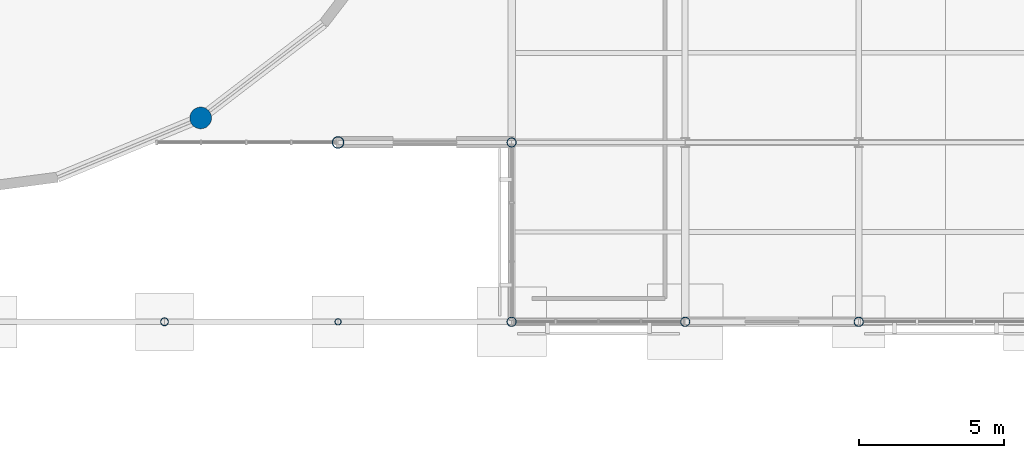
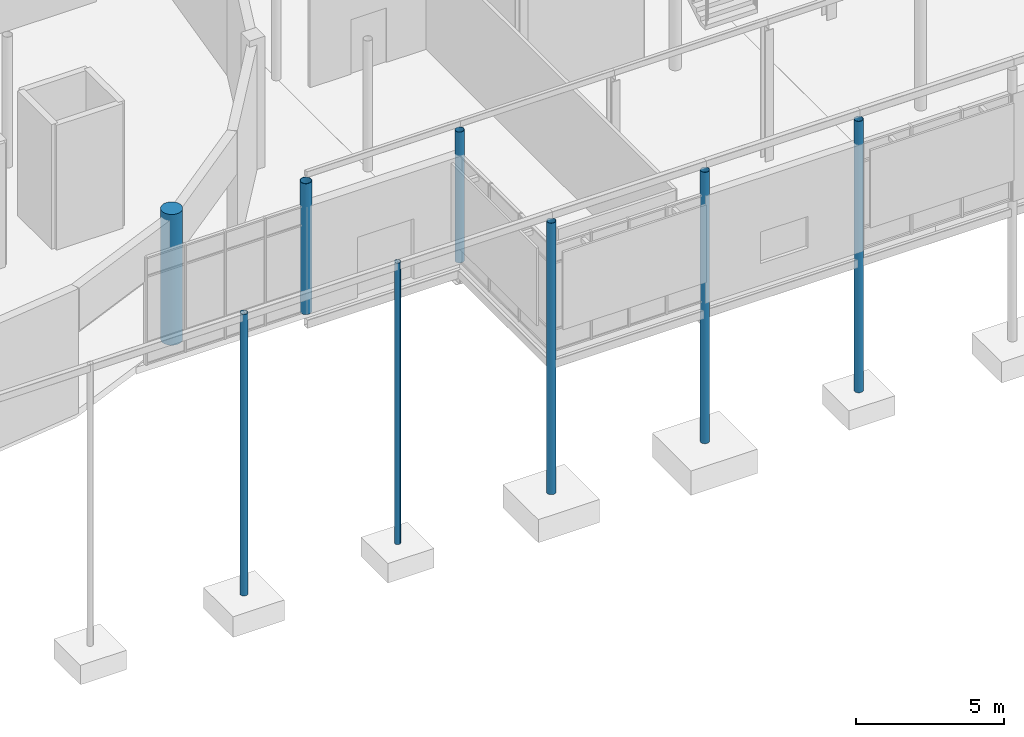
# One storey, part 12 of 98: 8 columns.
"""IFC4 building model written with IfcOpenShell, lengths in metres."""

from ifc_helpers import new_model, si_unit, direction, frame, origin, origin_2d, place, context, subcontext, project, spatial, circle, hollow_circle, extrude, material, material_profile, profile_set, type_object, element, save


model = new_model("IFC4")

# Units and contexts
model_context = context("Model", 3, precision=1e-05, world=origin(), true_north=direction((0.0, 1.0)))
body_context = subcontext(model_context, "Body", "Model", "MODEL_VIEW")
ifc_project = project(units=[si_unit("LENGTHUNIT", "METRE"), si_unit("AREAUNIT", "SQUARE_METRE"), si_unit("VOLUMEUNIT", "CUBIC_METRE"), si_unit("PLANEANGLEUNIT", "RADIAN"), si_unit("MASSUNIT", "GRAM", prefix="KILO")], contexts=[model_context])

# Site, building, storey
site_placement = place(None, origin())
site = spatial("IfcSite", under=ifc_project, at=site_placement, CompositionType="ELEMENT")
building_placement = place(site_placement, origin())
building = spatial("IfcBuilding", under=site, at=building_placement, Name="Mirzam Square Science Centre", CompositionType="ELEMENT")
storey_placement = place(building_placement, origin())
storey = spatial("IfcBuildingStorey", under=building, at=storey_placement, Name="L00", CompositionType="ELEMENT", Elevation=0.0)

# Columns
ifc_material_1 = material(Name="Steel S355", Category="steel")
ifc_material_profile_1 = material_profile(ifc_material_1, hollow_circle(Radius=0.109619140625, WallThickness=0.010009765625, at=origin_2d()), Name="219.1x10.0CHS")
ifc_profile_set_1 = profile_set([ifc_material_profile_1], Name="Steel S355")
column_type_1 = type_object("IfcColumnType", Name="COL-CHS219", PredefinedType="COLUMN", material=ifc_profile_set_1)
column_1_placement = place(storey_placement, frame((96.0, 37.199951171875, -5.800048828125), z_axis=(0.0, 0.0, 1.0), x_axis=(1.0, 0.0, 0.0)))
element("IfcColumn", 1, at=column_1_placement, inside=storey, type_object=column_type_1, Name="L00 column G17-07", PredefinedType="COLUMN", context=body_context, shape_type="SweptSolid", body=[
    extrude(hollow_circle(Radius=0.109619140625, WallThickness=0.010009765625, at=origin_2d()), origin(), (0.0, 0.0, 1.0), 11.6201171875),
])
ifc_material_profile_2 = material_profile(ifc_material_1, hollow_circle(Radius=0.136474609375, WallThickness=0.010009765625, at=origin_2d()), Name="273.0x10.0CHS")
ifc_profile_set_2 = profile_set([ifc_material_profile_2], Name="Steel S355")
column_type_2 = type_object("IfcColumnType", Name="COL-CHS273", PredefinedType="COLUMN", material=ifc_profile_set_2)
column_2_placement = place(storey_placement, frame((90.0, 37.199951171875, -5.800048828125), z_axis=(0.0, 0.0, 1.0), x_axis=(1.0, 0.0, 0.0)))
element("IfcColumn", 2, at=column_2_placement, inside=storey, type_object=column_type_2, Name="L00 column G16-07", PredefinedType="COLUMN", context=body_context, shape_type="SweptSolid", body=[
    extrude(hollow_circle(Radius=0.136474609375, WallThickness=0.010009765625, at=origin_2d()), origin(), (0.0, 0.0, 1.0), 11.6201171875),
])
ifc_material_profile_3 = material_profile(ifc_material_1, hollow_circle(Radius=0.161865234375, WallThickness=0.012451171875, at=origin_2d()), Name="323.9x12.5CHS")
ifc_profile_set_3 = profile_set([ifc_material_profile_3], Name="Steel S355")
column_type_3 = type_object("IfcColumnType", Name="COL-CHS324", PredefinedType="COLUMN", material=ifc_profile_set_3)
column_3_placement = place(storey_placement, frame((102.0, 37.199951171875, -5.800048828125), z_axis=(0.0, 0.0, 1.0), x_axis=(1.0, 0.0, 0.0)))
element("IfcColumn", 3, at=column_3_placement, inside=storey, type_object=column_type_3, Name="L00 column G18-07", PredefinedType="COLUMN", context=body_context, shape_type="SweptSolid", body=[
    extrude(hollow_circle(Radius=0.161865234375, WallThickness=0.012451171875, at=origin_2d()), origin(), (0.0, 0.0, 1.0), 11.199951171875),
])
column_4_placement = place(storey_placement, frame((102.0, 43.39990234375, 0.0), z_axis=(0.0, 0.0, 1.0), x_axis=(1.0, 0.0, 0.0)))
element("IfcColumn", 4, at=column_4_placement, inside=storey, type_object=column_type_3, Name="L00 column G18-08", PredefinedType="COLUMN", context=body_context, shape_type="SweptSolid", body=[
    extrude(hollow_circle(Radius=0.161865234375, WallThickness=0.012451171875, at=origin_2d()), origin(), (0.0, 0.0, 1.0), 5.39990234375),
])
for number, where, z_axis, x_axis, name in (
    (5, (108.0, 37.199951171875, -5.800048828125), (0.0, 0.0, 1.0), (1.0, 0.0, 0.0), "L00 column G19-07"),
    (6, (114.0, 37.199951171875, -5.800048828125), (0.0, 0.0, 1.0), (1.0, 0.0, 0.0), "L00 column G20-07"),
):
    element("IfcColumn", number, at=place(storey_placement, frame(where, z_axis=z_axis, x_axis=x_axis)), inside=storey, type_object=column_type_3, Name=name, PredefinedType="COLUMN", context=body_context, shape_type="SweptSolid", body=[
        extrude(hollow_circle(Radius=0.161865234375, WallThickness=0.012451171875, at=origin_2d()), origin(), (0.0, 0.0, 1.0), 11.199951171875),
    ])
ifc_material_profile_4 = material_profile(ifc_material_1, hollow_circle(Radius=0.203125, WallThickness=0.01611328125, at=origin_2d()), Name="406.4x16.0CHS")
ifc_profile_set_4 = profile_set([ifc_material_profile_4], Name="Steel S355")
column_type_4 = type_object("IfcColumnType", Name="COL-CHS406", PredefinedType="COLUMN", material=ifc_profile_set_4)
column_5_placement = place(storey_placement, frame((96.0, 43.39990234375, 0.0), z_axis=(0.0, 0.0, 1.0), x_axis=(1.0, 0.0, 0.0)))
element("IfcColumn", 7, at=column_5_placement, inside=storey, type_object=column_type_4, Name="L00 column G17-08", PredefinedType="COLUMN", context=body_context, shape_type="SweptSolid", body=[
    extrude(hollow_circle(Radius=0.203125, WallThickness=0.01611328125, at=origin_2d()), origin(), (0.0, 0.0, 1.0), 5.39990234375),
])
ifc_material_2 = material(Name="Concrete C45/55", Category="concrete")
ifc_material_profile_5 = material_profile(ifc_material_2, circle(Radius=0.375, at=origin_2d()), Name="RCD750")
ifc_profile_set_5 = profile_set([ifc_material_profile_5], Name="Concrete C45/55")
column_type_5 = type_object("IfcColumnType", Name="PIL-RCD750", PredefinedType="PILASTER", material=ifc_profile_set_5)
column_6_placement = place(storey_placement, frame((91.25, 44.24658203125, 0.0), z_axis=(0.0, 0.0, 1.0), x_axis=(1.0, 0.0, 0.0)))
element("IfcColumn", 8, at=column_6_placement, inside=storey, type_object=column_type_5, Name="L00 drum pilaster 21", PredefinedType="PILASTER", context=body_context, shape_type="SweptSolid", body=[
    extrude(circle(Radius=0.375, at=origin_2d()), origin(), (0.0, 0.0, 1.0), 5.39990234375),
])

save(model, "model.ifc")
